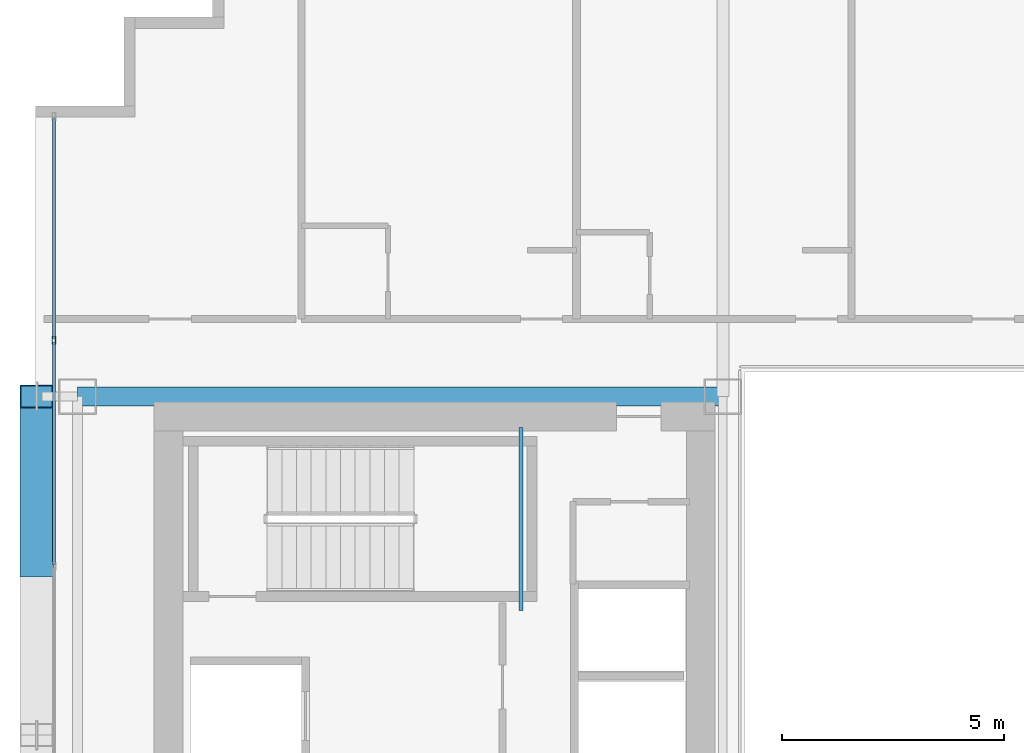
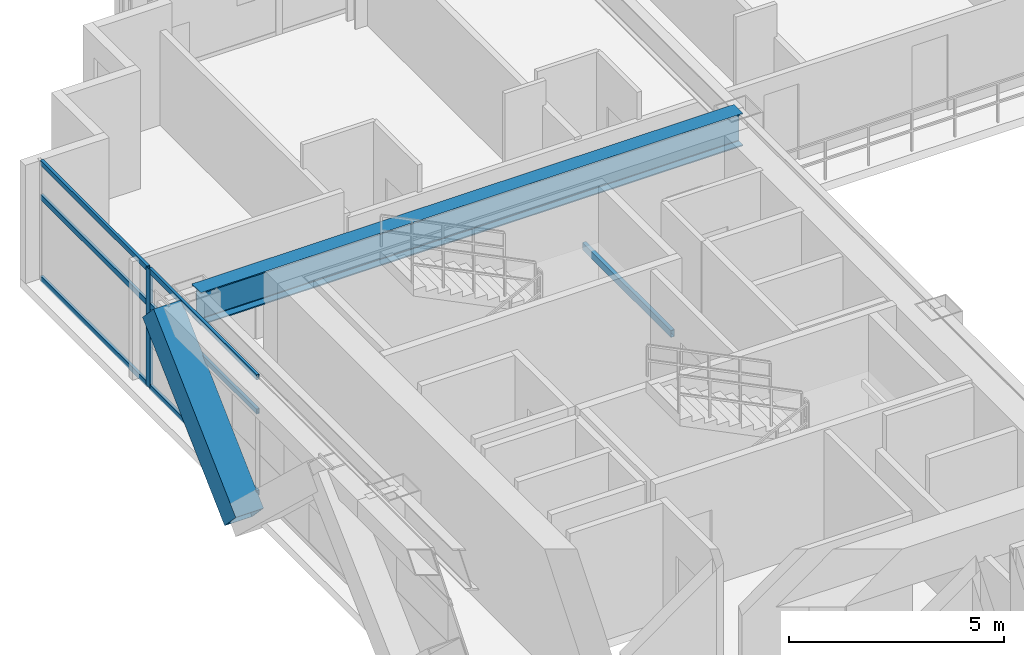
# One storey, part 16 of 35: 8 members, 2 beams, 1 element without a shape of its own.
"""IFC4 building model written with IfcOpenShell, lengths in metres."""

from ifc_helpers import new_model, si_unit, direction, frame, origin, origin_2d, place, context, subcontext, project, spatial, hollow_rectangle, i_section, extrude, source, transform, mapped, material, layer, layer_set, material_profile, profile_set, type_object, element, aggregate, save


model = new_model("IFC4")

# Units and contexts
model_context = context("Model", 3, precision=1e-05, world=origin(), true_north=direction((0.0, 1.0)))
body_context = subcontext(model_context, "Body", "Model", "MODEL_VIEW")
ifc_project = project(units=[si_unit("LENGTHUNIT", "METRE"), si_unit("AREAUNIT", "SQUARE_METRE"), si_unit("VOLUMEUNIT", "CUBIC_METRE"), si_unit("PLANEANGLEUNIT", "RADIAN"), si_unit("MASSUNIT", "GRAM", prefix="KILO")], contexts=[model_context])

# Site, building, storey
site_placement = place(None, origin())
site = spatial("IfcSite", under=ifc_project, at=site_placement, CompositionType="ELEMENT")
building_placement = place(site_placement, origin())
building = spatial("IfcBuilding", under=site, at=building_placement, Name="Ocotamira Hotel", CompositionType="ELEMENT")
storey_placement = place(building_placement, frame((0.0, 0.0, 122.39990234375)))
storey = spatial("IfcBuildingStorey", under=building, at=storey_placement, Name="L30", CompositionType="ELEMENT", Elevation=122.39990234375)

# Beams
ifc_material_1 = material(Name="Steel ASTM A500 Grade C", Category="steel")
ifc_material_profile_1 = material_profile(ifc_material_1, hollow_rectangle(XDim=0.10009765625, YDim=0.199951171875, WallThickness=0.008056640625, at=origin_2d()), Name="HSS200X100X8")
ifc_profile_set_1 = profile_set([ifc_material_profile_1], Name="Steel ASTM A500 Grade C")
beam_type_1 = type_object("IfcBeamType", Name="BM-STLDG-HSS200", PredefinedType="BEAM", material=ifc_profile_set_1)
shared_shape_1 = source(origin(), body_context, "Body", "SweptSolid", [
    extrude(hollow_rectangle(XDim=0.10009765625, YDim=0.199951171875, WallThickness=0.008056640625, at=origin_2d()), origin(), (0.0, 0.0, 1.0), 4.1201171875),
])
beam_1_placement = place(storey_placement, frame((18.949951171875, 32.6298828125, 1.5), z_axis=(0.0, 1.0, 0.0), x_axis=(-1.0, 0.0, 0.0)))
element("IfcBeam", 1, at=beam_1_placement, inside=storey, type_object=beam_type_1, Name="L30 Stair ST-2 Landing Bearer 1", PredefinedType="BEAM", context=body_context, shape_type="MappedRepresentation", body=[
    mapped(shared_shape_1, transform((0.0, 0.0, 0.0), scale=1.0)),
])
ifc_material_2 = material(Name="Steel ASTM A992 Grade 50", Category="steel")
ifc_material_profile_2 = material_profile(ifc_material_2, i_section(OverallWidth=0.41796875, OverallDepth=0.927001953125, WebThickness=0.019287109375, FlangeThickness=0.031982421875, FilletRadius=0.02392578125, at=origin_2d()), Name="W36X231")
ifc_profile_set_2 = profile_set([ifc_material_profile_2], Name="Steel ASTM A992 Grade 50")
beam_type_2 = type_object("IfcBeamType", Name="BM-GIRD-W36X231", PredefinedType="BEAM", material=ifc_profile_set_2)
shared_shape_2 = source(origin(), body_context, "Body", "SweptSolid", [
    extrude(i_section(OverallWidth=0.41796875, OverallDepth=0.927001953125, WebThickness=0.019287109375, FlangeThickness=0.031982421875, FilletRadius=0.02392578125, at=origin_2d()), origin(), (0.0, 0.0, 1.0), 14.550048828125),
])
beam_2_placement = place(storey_placement, frame((8.949951171875, 37.449951171875, 2.896484375), z_axis=(1.0, 0.0, 0.0), x_axis=(0.0, 1.0, 0.0)))
element("IfcBeam", 2, at=beam_2_placement, inside=storey, type_object=beam_type_2, Name="L30 Girder Y37.45 X8.95-23.5", PredefinedType="BEAM", context=body_context, shape_type="MappedRepresentation", body=[
    mapped(shared_shape_2, transform((0.0, 0.0, 0.0), scale=1.0)),
])

# Member
ifc_material_3 = material(Name="Pale-metal coated steel ASTM A913 Grade 65", Category="steel")
ifc_material_profile_3 = material_profile(ifc_material_3, hollow_rectangle(XDim=0.75, YDim=0.75, WallThickness=0.028076171875, at=origin_2d()), Name="BOX750X750X28")
ifc_profile_set_3 = profile_set([ifc_material_profile_3], Name="Pale-metal coated steel ASTM A913 Grade 65")
member_type_1 = type_object("IfcMemberType", Name="MEM-EXO-BOX750", PredefinedType="BRACE", material=ifc_profile_set_3)
shared_shape_3 = source(origin(), body_context, "Body", "SweptSolid", [
    extrude(hollow_rectangle(XDim=0.75, YDim=0.75, WallThickness=0.028076171875, at=origin_2d()), origin(), (0.0, 0.0, 1.0), 5.24658203125),
])
member_1_placement = place(storey_placement, frame((8.030029296875, 33.63330078125, -0.489990234375), z_axis=(0.0, 0.727442733726, 0.686168397078), x_axis=(-1.0, 0.0, 0.0)))
element("IfcMember", 3, at=member_1_placement, inside=storey, type_object=member_type_1, Name="L30 Exoskeleton Diagrid W2.2", PredefinedType="BRACE", context=body_context, shape_type="MappedRepresentation", body=[
    mapped(shared_shape_3, transform((0.0, 0.0, 0.0), scale=1.0)),
])

# Curtain wall, members
ifc_material_4 = material(Name="Anodised pale-metal aluminium and solar glass", Category="aluminium")
ifc_layer = layer(ifc_material_4, 0.179931640625)
ifc_layer_set = layer_set([ifc_layer], Name="Anodised pale-metal aluminium and solar glass")
curtain_wall_type = type_object("IfcCurtainWallType", Name="CW-SYS3-Z2", PredefinedType="NOTDEFINED", material=ifc_layer_set)
curtain_wall_placement = place(storey_placement, origin())
curtain_wall = element("IfcCurtainWall", 4, at=curtain_wall_placement, inside=storey, type_object=curtain_wall_type, Name="L30 Curtain Wall CW-3 CW-L30-W", PredefinedType="NOTDEFINED")
ifc_material_5 = material(Name="Anodised pale-metal aluminium 6063-T6", Category="aluminium")
ifc_material_profile_4 = material_profile(ifc_material_5, hollow_rectangle(XDim=0.074951171875, YDim=0.14990234375, WallThickness=0.006103515625, at=origin_2d()), Name="HSS150X75X6")
ifc_profile_set_4 = profile_set([ifc_material_profile_4], Name="Anodised pale-metal aluminium 6063-T6")
member_type_2 = type_object("IfcMemberType", Name="CWT-150X75", PredefinedType="USERDEFINED", material=ifc_profile_set_4)
shared_shape_4 = source(origin(), body_context, "Body", "SweptSolid", [
    extrude(hollow_rectangle(XDim=0.074951171875, YDim=0.14990234375, WallThickness=0.006103515625, at=origin_2d()), origin(), (0.0, 0.0, 1.0), 4.965576171875),
])
member_2_placement = place(storey_placement, frame((8.419921875, 38.75439453125, 0.03759765625), z_axis=(0.0, 1.0, 0.0), x_axis=(-1.0, 0.0, 0.0)))
member_2 = element("IfcMember", 5, at=member_2_placement, type_object=member_type_2, Name="CW-3 transom 7.1", ObjectType="TRANSOM", PredefinedType="USERDEFINED", context=body_context, shape_type="MappedRepresentation", body=[
    mapped(shared_shape_4, transform((0.0, 0.0, 0.0), scale=1.0)),
])
member_3_placement = place(storey_placement, frame((8.419921875, 38.75439453125, 2.35009765625), z_axis=(0.0, 1.0, 0.0), x_axis=(-1.0, 0.0, 0.0)))
member_3 = element("IfcMember", 6, at=member_3_placement, type_object=member_type_2, Name="CW-3 transom 7.2", ObjectType="TRANSOM", PredefinedType="USERDEFINED", context=body_context, shape_type="MappedRepresentation", body=[
    mapped(shared_shape_4, transform((0.0, 0.0, 0.0), scale=1.0)),
])
member_4_placement = place(storey_placement, frame((8.419921875, 38.75439453125, 3.322509765625), z_axis=(0.0, 1.0, 0.0), x_axis=(-1.0, 0.0, 0.0)))
member_4 = element("IfcMember", 7, at=member_4_placement, type_object=member_type_2, Name="CW-3 transom 7.3", ObjectType="TRANSOM", PredefinedType="USERDEFINED", context=body_context, shape_type="MappedRepresentation", body=[
    mapped(shared_shape_4, transform((0.0, 0.0, 0.0), scale=1.0)),
])
shared_shape_5 = source(origin(), body_context, "Body", "SweptSolid", [
    extrude(hollow_rectangle(XDim=0.074951171875, YDim=0.14990234375, WallThickness=0.006103515625, at=origin_2d()), origin(), (0.0, 0.0, 1.0), 5.005859375),
])
member_5_placement = place(storey_placement, frame((8.419921875, 33.66845703125, 0.03759765625), z_axis=(0.0, 1.0, 0.0), x_axis=(-1.0, 0.0, 0.0)))
member_5 = element("IfcMember", 8, at=member_5_placement, type_object=member_type_2, Name="CW-3 transom 6.1", ObjectType="TRANSOM", PredefinedType="USERDEFINED", context=body_context, shape_type="MappedRepresentation", body=[
    mapped(shared_shape_5, transform((0.0, 0.0, 0.0), scale=1.0)),
])
member_6_placement = place(storey_placement, frame((8.419921875, 33.66845703125, 2.35009765625), z_axis=(0.0, 1.0, 0.0), x_axis=(-1.0, 0.0, 0.0)))
member_6 = element("IfcMember", 9, at=member_6_placement, type_object=member_type_2, Name="CW-3 transom 6.2", ObjectType="TRANSOM", PredefinedType="USERDEFINED", context=body_context, shape_type="MappedRepresentation", body=[
    mapped(shared_shape_5, transform((0.0, 0.0, 0.0), scale=1.0)),
])
member_7_placement = place(storey_placement, frame((8.419921875, 33.66845703125, 3.322509765625), z_axis=(0.0, 1.0, 0.0), x_axis=(-1.0, 0.0, 0.0)))
member_7 = element("IfcMember", 10, at=member_7_placement, type_object=member_type_2, Name="CW-3 transom 6.3", ObjectType="TRANSOM", PredefinedType="USERDEFINED", context=body_context, shape_type="MappedRepresentation", body=[
    mapped(shared_shape_5, transform((0.0, 0.0, 0.0), scale=1.0)),
])
ifc_material_profile_5 = material_profile(ifc_material_5, hollow_rectangle(XDim=0.080078125, YDim=0.179931640625, WallThickness=0.006103515625, at=origin_2d()), Name="HSS180X80X6")
ifc_profile_set_5 = profile_set([ifc_material_profile_5], Name="Anodised pale-metal aluminium 6063-T6")
member_type_3 = type_object("IfcMemberType", Name="CWM-180X75", PredefinedType="MULLION", material=ifc_profile_set_5)
shared_shape_6 = source(origin(), body_context, "Body", "SweptSolid", [
    extrude(hollow_rectangle(XDim=0.080078125, YDim=0.179931640625, WallThickness=0.006103515625, at=origin_2d()), origin(), (0.0, 0.0, 1.0), 3.360107421875),
])
member_8_placement = place(storey_placement, frame((8.419921875, 38.71435546875, 0.0), z_axis=(0.0, 0.0, 1.0), x_axis=(-1.0, 0.0, 0.0)))
member_8 = element("IfcMember", 11, at=member_8_placement, type_object=member_type_3, Name="CW-3 mullion 7", PredefinedType="MULLION", context=body_context, shape_type="MappedRepresentation", body=[
    mapped(shared_shape_6, transform((0.0, 0.0, 0.0), scale=1.0)),
])
aggregate(curtain_wall, [member_8, member_5, member_6, member_7, member_2, member_3, member_4])

save(model, "model.ifc")
